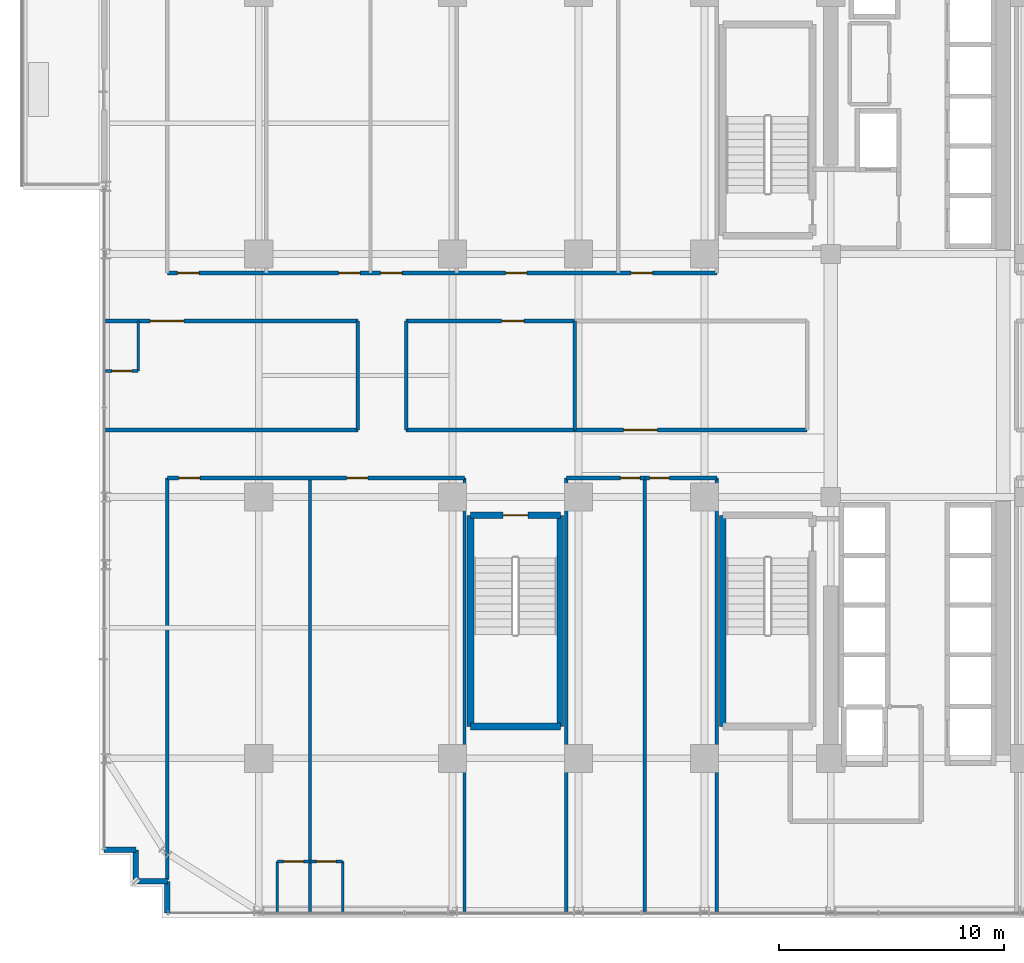
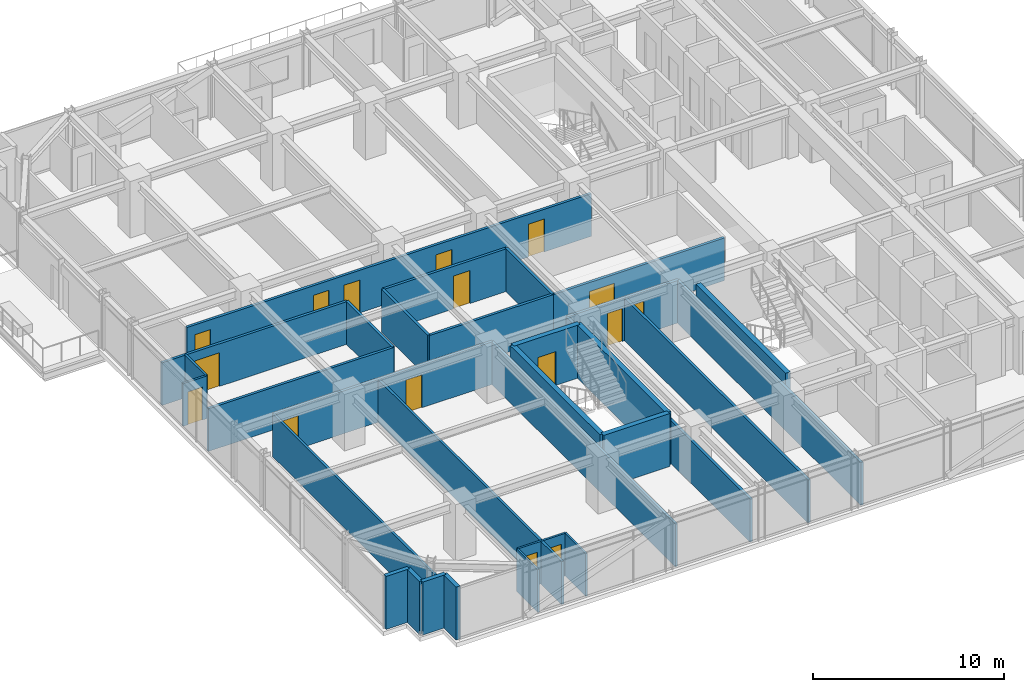
# One storey, part 32 of 40: 33 walls, 16 doors, 16 openings.
"""IFC4 building model written with IfcOpenShell, lengths in metres."""

from ifc_helpers import new_model, si_unit, direction, frame, frame_2d, origin, place, context, subcontext, project, spatial, rectangle, extrude, source, transform, mapped, material, layer, layer_set, type_object, element, fill, save


model = new_model("IFC4")

# Units and contexts
model_context = context("Model", 3, precision=1e-05, world=origin(), true_north=direction((0.0, 1.0)))
body_context = subcontext(model_context, "Body", "Model", "MODEL_VIEW")
ifc_project = project(units=[si_unit("LENGTHUNIT", "METRE"), si_unit("AREAUNIT", "SQUARE_METRE"), si_unit("VOLUMEUNIT", "CUBIC_METRE"), si_unit("PLANEANGLEUNIT", "RADIAN"), si_unit("MASSUNIT", "GRAM", prefix="KILO")], contexts=[model_context])

# Site, building, storey
site_placement = place(None, origin())
site = spatial("IfcSite", under=ifc_project, at=site_placement, CompositionType="ELEMENT")
building_placement = place(site_placement, origin())
building = spatial("IfcBuilding", under=site, at=building_placement, Name="Nahalor Promenade Grand Hotel", CompositionType="ELEMENT")
storey_placement = place(building_placement, frame((0.0, 0.0, 91.949951171875)))
storey = spatial("IfcBuildingStorey", under=building, at=storey_placement, Name="L22", CompositionType="ELEMENT", Elevation=91.949951171875)

# Wall
ifc_material_1 = material(Name="Concrete B-50 (C40/50)", Category="concrete")
ifc_layer_1 = layer(ifc_material_1, 0.300048828125)
ifc_layer_set_1 = layer_set([ifc_layer_1], Name="Concrete B-50 (C40/50)")
wall_type_1 = type_object("IfcWallType", Name="Wall-ShaftShear-300", PredefinedType="SHEAR", material=ifc_layer_set_1)
shared_shape_1 = source(origin(), body_context, "Body", "SweptSolid", [
    extrude(rectangle(XDim=3.97998046875, YDim=0.300048828125, at=frame_2d((1.989990234375, 0.0))), origin(), (0.0, 0.0, 1.0), 3.380126953125),
])
wall_1_placement = place(storey_placement, frame((-7.590087890625, -15.590087890625, 0.0), z_axis=(0.0, 0.0, 1.0), x_axis=(1.0, 0.0, 0.0)))
element("IfcWall", 1, at=wall_1_placement, inside=storey, type_object=wall_type_1, Name="L22 Exit Stair ST3 Shaft Wall S", PredefinedType="SHEAR", context=body_context, shape_type="MappedRepresentation", body=[
    mapped(shared_shape_1, transform((0.0, 0.0, 0.0), scale=1.0)),
])

# Wall, opening, door
wall_2_placement = place(storey_placement, frame((-7.590087890625, -6.2099609375, 0.0), z_axis=(0.0, 0.0, 1.0), x_axis=(1.0, 0.0, 0.0)))
wall_2 = element("IfcWall", 2, at=wall_2_placement, inside=storey, type_object=wall_type_1, Name="L22 Exit Stair ST3 Shaft Wall N", PredefinedType="SHEAR", context=body_context, shape_type="MappedRepresentation", body=[
    mapped(shared_shape_1, transform((0.0, 0.0, 0.0), scale=1.0)),
])
opening_1_placement = place(wall_2_placement, frame((1.43994140625, 0.0, 0.0)))
opening_1 = element("IfcOpeningElement", 3, at=opening_1_placement, cuts=wall_2, Name="Opening D-ST1", PredefinedType="OPENING", context=body_context, shape_type="SweptSolid", body=[
    extrude(rectangle(XDim=1.10009765625, YDim=2.14990234375, at=frame_2d((0.550048828125, 1.074951171875))), frame((0.0, 0.159912109375, 0.0), z_axis=(0.0, -1.0, 0.0), x_axis=(1.0, 0.0, 0.0)), (0.0, 0.0, 1.0), 0.320068359375),
])
ifc_material_2 = material(Name="Steel S355JR", Category="steel")
door_type_1 = type_object("IfcDoorType", Name="Door-StairFire-1100", OperationType="NOTDEFINED", PredefinedType="DOOR", material=ifc_material_2)
shared_shape_2 = source(origin(), body_context, "Body", "SweptSolid", [
    extrude(rectangle(XDim=1.10009765625, YDim=2.14990234375, at=frame_2d((0.550048828125, 1.074951171875))), frame((0.0, 0.02490234375, 0.0), z_axis=(0.0, -1.0, 0.0), x_axis=(1.0, 0.0, 0.0)), (0.0, 0.0, 1.0), 0.050048828125),
])
door_1_placement = place(opening_1_placement, frame((1.10009765625, 0.0, 0.0), z_axis=(0.0, 0.0, 1.0), x_axis=(-1.0, 0.0, 0.0)))
door_1 = element("IfcDoor", 4, at=door_1_placement, inside=storey, type_object=door_type_1, Name="DR-STAIR-ST3-L22", OperationType="SINGLE_SWING_LEFT", OverallHeight=2.14990234375, OverallWidth=1.10009765625, PredefinedType="DOOR", context=body_context, shape_type="MappedRepresentation", body=[
    mapped(shared_shape_2, transform((0.0, 0.0, 0.0), scale=1.0)),
])
fill(opening_1, door_1)

# Walls
shared_shape_3 = source(origin(), body_context, "Body", "SweptSolid", [
    extrude(rectangle(XDim=9.380126953125, YDim=0.300048828125, at=frame_2d((4.68994140625, 0.0))), origin(), (0.0, 0.0, 1.0), 3.380126953125),
])
for number, where, z_axis, x_axis, name in (
    (5, (3.610107421875, -15.590087890625, 0.0), (0.0, 0.0, 1.0), (0.0, 1.0, 0.0), "L22 Exit Stair ST2 Shaft Wall W"),
    (6, (-7.590087890625, -15.590087890625, 0.0), (0.0, 0.0, 1.0), (0.0, 1.0, 0.0), "L22 Exit Stair ST3 Shaft Wall W"),
    (7, (-3.610107421875, -15.590087890625, 0.0), (0.0, 0.0, 1.0), (0.0, 1.0, 0.0), "L22 Exit Stair ST3 Shaft Wall E"),
):
    element("IfcWall", number, at=place(storey_placement, frame(where, z_axis=z_axis, x_axis=x_axis)), inside=storey, type_object=wall_type_1, Name=name, PredefinedType="SHEAR", context=body_context, shape_type="MappedRepresentation", body=[
        mapped(shared_shape_3, transform((0.0, 0.0, 0.0), scale=1.0)),
    ])
ifc_material_3 = material(Name="Concrete B-40 (C32/40)", Category="concrete")
ifc_layer_2 = layer(ifc_material_3, 0.25)
ifc_layer_set_2 = layer_set([ifc_layer_2], Name="Concrete B-40 (C32/40)")
wall_type_2 = type_object("IfcWallType", Name="Wall-BronzePier-250", PredefinedType="STANDARD", material=ifc_layer_set_2)
shared_shape_4 = source(origin(), body_context, "Body", "SweptSolid", [
    extrude(rectangle(XDim=1.400146484375, YDim=0.25, at=frame_2d((0.7001953125, 0.0))), origin(), (0.0, 0.0, 1.0), 3.380126953125),
])
for number, where, z_axis, x_axis, name in (
    (8, (-23.860107421875, -21.06005859375, 0.0), (0.0, 0.0, 1.0), (1.0, 0.0, 0.0), "W-L22-SR-13"),
    (9, (-21.06005859375, -23.860107421875, 0.0), (0.0, 0.0, 1.0), (0.0, 1.0, 0.0), "W-L22-SR-16"),
):
    element("IfcWall", number, at=place(storey_placement, frame(where, z_axis=z_axis, x_axis=x_axis)), inside=storey, type_object=wall_type_2, Name=name, PredefinedType="STANDARD", context=body_context, shape_type="MappedRepresentation", body=[
        mapped(shared_shape_4, transform((0.0, 0.0, 0.0), scale=1.0)),
    ])
shared_shape_5 = source(origin(), body_context, "Body", "SweptSolid", [
    extrude(rectangle(XDim=1.39990234375, YDim=0.25, at=frame_2d((0.699951171875, 0.0))), origin(), (0.0, 0.0, 1.0), 3.380126953125),
])
for number, where, z_axis, x_axis, name in (
    (10, (-22.4599609375, -22.4599609375, 0.0), (0.0, 0.0, 1.0), (0.0, 1.0, 0.0), "W-L22-SR-14"),
    (11, (-22.4599609375, -22.4599609375, 0.0), (0.0, 0.0, 1.0), (1.0, 0.0, 0.0), "W-L22-SR-15"),
):
    element("IfcWall", number, at=place(storey_placement, frame(where, z_axis=z_axis, x_axis=x_axis)), inside=storey, type_object=wall_type_2, Name=name, PredefinedType="STANDARD", context=body_context, shape_type="MappedRepresentation", body=[
        mapped(shared_shape_5, transform((0.0, 0.0, 0.0), scale=1.0)),
    ])
ifc_material_4 = material(Name="Acoustic Mineral Gypsum", Category="gypsum")
ifc_layer_3 = layer(ifc_material_4, 0.159912109375)
ifc_layer_set_3 = layer_set([ifc_layer_3], Name="Acoustic Mineral Gypsum")
wall_type_3 = type_object("IfcWallType", Name="Wall-PartCorridor-160", PredefinedType="PARTITIONING", material=ifc_layer_set_3)
shared_shape_6 = source(origin(), body_context, "Body", "SweptSolid", [
    extrude(rectangle(XDim=19.25, YDim=0.159912109375, at=frame_2d((9.625, 0.0))), origin(), (0.0, 0.0, 1.0), 2.719970703125),
])
for number, where, z_axis, x_axis, name in (
    (12, (-3.340087890625, -23.800048828125, 0.0), (0.0, 0.0, 1.0), (0.0, 1.0, 0.0), "W-L22-SCB1-W"),
    (13, (0.14990234375, -23.800048828125, 0.0), (0.0, 0.0, 1.0), (0.0, 1.0, 0.0), "W-L22-SCB1-E"),
    (14, (3.340087890625, -23.800048828125, 0.0), (0.0, 0.0, 1.0), (0.0, 1.0, 0.0), "W-L22-SCB2-E"),
):
    element("IfcWall", number, at=place(storey_placement, frame(where, z_axis=z_axis, x_axis=x_axis)), inside=storey, type_object=wall_type_3, Name=name, PredefinedType="PARTITIONING", context=body_context, shape_type="MappedRepresentation", body=[
        mapped(shared_shape_6, transform((0.0, 0.0, 0.0), scale=1.0)),
    ])

# Wall, openings, doors
shared_shape_7 = source(origin(), body_context, "Body", "SweptSolid", [
    extrude(rectangle(XDim=24.400146484375, YDim=0.159912109375, at=frame_2d((12.2001953125, 0.0))), origin(), (0.0, 0.0, 1.0), 2.719970703125),
])
wall_3_placement = place(storey_placement, frame((-21.06005859375, 4.550048828125, 0.0), z_axis=(0.0, 0.0, 1.0), x_axis=(1.0, 0.0, 0.0)))
wall_3 = element("IfcWall", 15, at=wall_3_placement, inside=storey, type_object=wall_type_3, Name="W-L22-CORR-N", PredefinedType="PARTITIONING", context=body_context, shape_type="MappedRepresentation", body=[
    mapped(shared_shape_7, transform((0.0, 0.0, 0.0), scale=1.0)),
])
opening_2_placement = place(wall_3_placement, frame((0.4619140625, 0.0, 0.0)))
opening_2 = element("IfcOpeningElement", 16, at=opening_2_placement, cuts=wall_3, Name="Opening D-01", PredefinedType="OPENING", context=body_context, shape_type="SweptSolid", body=[
    extrude(rectangle(XDim=0.949951171875, YDim=2.10009765625, at=frame_2d((0.47509765625, 1.050048828125))), frame((0.0, 0.08984375, 0.0), z_axis=(0.0, -1.0, 0.0), x_axis=(1.0, 0.0, 0.0)), (0.0, 0.0, 1.0), 0.179931640625),
])
opening_3_placement = place(wall_3_placement, frame((7.610107421875, 0.0, 0.0)))
opening_3 = element("IfcOpeningElement", 17, at=opening_3_placement, cuts=wall_3, Name="Opening D-01", PredefinedType="OPENING", context=body_context, shape_type="SweptSolid", body=[
    extrude(rectangle(XDim=0.949951171875, YDim=2.10009765625, at=frame_2d((0.47509765625, 1.050048828125))), frame((0.0, 0.08984375, 0.0), z_axis=(0.0, -1.0, 0.0), x_axis=(1.0, 0.0, 0.0)), (0.0, 0.0, 1.0), 0.179931640625),
])
opening_4_placement = place(wall_3_placement, frame((9.47802734375, 0.0, 0.0)))
opening_4 = element("IfcOpeningElement", 18, at=opening_4_placement, cuts=wall_3, Name="Opening D-01", PredefinedType="OPENING", context=body_context, shape_type="SweptSolid", body=[
    extrude(rectangle(XDim=0.949951171875, YDim=2.10009765625, at=frame_2d((0.47509765625, 1.050048828125))), frame((0.0, 0.08984375, 0.0), z_axis=(0.0, -1.0, 0.0), x_axis=(1.0, 0.0, 0.0)), (0.0, 0.0, 1.0), 0.179931640625),
])
opening_5_placement = place(wall_3_placement, frame((15.02197265625, 0.0, 0.0)))
opening_5 = element("IfcOpeningElement", 19, at=opening_5_placement, cuts=wall_3, Name="Opening D-01", PredefinedType="OPENING", context=body_context, shape_type="SweptSolid", body=[
    extrude(rectangle(XDim=0.949951171875, YDim=2.10009765625, at=frame_2d((0.47509765625, 1.050048828125))), frame((0.0, 0.08984375, 0.0), z_axis=(0.0, -1.0, 0.0), x_axis=(1.0, 0.0, 0.0)), (0.0, 0.0, 1.0), 0.179931640625),
])
opening_6_placement = place(wall_3_placement, frame((20.60107421875, 0.0, 0.0)))
opening_6 = element("IfcOpeningElement", 20, at=opening_6_placement, cuts=wall_3, Name="Opening D-01", PredefinedType="OPENING", context=body_context, shape_type="SweptSolid", body=[
    extrude(rectangle(XDim=0.949951171875, YDim=2.10009765625, at=frame_2d((0.47509765625, 1.050048828125))), frame((0.0, 0.08984375, 0.0), z_axis=(0.0, -1.0, 0.0), x_axis=(1.0, 0.0, 0.0)), (0.0, 0.0, 1.0), 0.179931640625),
])
ifc_material_5 = material(Name="Fire-Rated Timber Composite", Category="wood")
door_type_2 = type_object("IfcDoorType", Name="Door-GuestEntry-950", OperationType="NOTDEFINED", PredefinedType="DOOR", material=ifc_material_5)
shared_shape_8 = source(origin(), body_context, "Body", "SweptSolid", [
    extrude(rectangle(XDim=0.949951171875, YDim=2.10009765625, at=frame_2d((0.47509765625, 1.050048828125))), frame((0.0, 0.02490234375, 0.0), z_axis=(0.0, -1.0, 0.0), x_axis=(1.0, 0.0, 0.0)), (0.0, 0.0, 1.0), 0.050048828125),
])
door_2_placement = place(opening_2_placement, origin())
door_2 = element("IfcDoor", 21, at=door_2_placement, inside=storey, type_object=door_type_2, Name="DR-L22-N1-ENT", OperationType="SINGLE_SWING_RIGHT", OverallHeight=2.10009765625, OverallWidth=0.949951171875, PredefinedType="DOOR", context=body_context, shape_type="MappedRepresentation", body=[
    mapped(shared_shape_8, transform((0.0, 0.0, 0.0), scale=1.0)),
])
fill(opening_2, door_2)
door_3_placement = place(opening_3_placement, origin())
door_3 = element("IfcDoor", 22, at=door_3_placement, inside=storey, type_object=door_type_2, Name="DR-L22-N2-ENT", OperationType="SINGLE_SWING_RIGHT", OverallHeight=2.10009765625, OverallWidth=0.949951171875, PredefinedType="DOOR", context=body_context, shape_type="MappedRepresentation", body=[
    mapped(shared_shape_8, transform((0.0, 0.0, 0.0), scale=1.0)),
])
fill(opening_3, door_3)
door_4_placement = place(opening_4_placement, origin())
door_4 = element("IfcDoor", 23, at=door_4_placement, inside=storey, type_object=door_type_2, Name="DR-L22-N3-ENT", OperationType="SINGLE_SWING_RIGHT", OverallHeight=2.10009765625, OverallWidth=0.949951171875, PredefinedType="DOOR", context=body_context, shape_type="MappedRepresentation", body=[
    mapped(shared_shape_8, transform((0.0, 0.0, 0.0), scale=1.0)),
])
fill(opening_4, door_4)
door_5_placement = place(opening_5_placement, origin())
door_5 = element("IfcDoor", 24, at=door_5_placement, inside=storey, type_object=door_type_2, Name="DR-L22-N4-ENT", OperationType="SINGLE_SWING_RIGHT", OverallHeight=2.10009765625, OverallWidth=0.949951171875, PredefinedType="DOOR", context=body_context, shape_type="MappedRepresentation", body=[
    mapped(shared_shape_8, transform((0.0, 0.0, 0.0), scale=1.0)),
])
fill(opening_5, door_5)
door_6_placement = place(opening_6_placement, origin())
door_6 = element("IfcDoor", 25, at=door_6_placement, inside=storey, type_object=door_type_2, Name="DR-L22-N5-ENT", OperationType="SINGLE_SWING_RIGHT", OverallHeight=2.10009765625, OverallWidth=0.949951171875, PredefinedType="DOOR", context=body_context, shape_type="MappedRepresentation", body=[
    mapped(shared_shape_8, transform((0.0, 0.0, 0.0), scale=1.0)),
])
fill(opening_6, door_6)

# Walls
ifc_layer_4 = layer(ifc_material_4, 0.139892578125)
ifc_layer_set_4 = layer_set([ifc_layer_4], Name="Acoustic Mineral Gypsum")
wall_type_4 = type_object("IfcWallType", Name="Wall-PartSuite-140", PredefinedType="PARTITIONING", material=ifc_layer_set_4)
shared_shape_9 = source(origin(), body_context, "Body", "SweptSolid", [
    extrude(rectangle(XDim=17.829833984375, YDim=0.139892578125, at=frame_2d((8.9150390625, 0.0))), origin(), (0.0, 0.0, 1.0), 2.719970703125),
])
wall_4_placement = place(storey_placement, frame((-21.06005859375, -22.3798828125, 0.0), z_axis=(0.0, 0.0, 1.0), x_axis=(0.0, 1.0, 0.0)))
element("IfcWall", 26, at=wall_4_placement, inside=storey, type_object=wall_type_4, Name="W-L22-SW-ENDW", PredefinedType="PARTITIONING", context=body_context, shape_type="MappedRepresentation", body=[
    mapped(shared_shape_9, transform((0.0, 0.0, 0.0), scale=1.0)),
])
shared_shape_10 = source(origin(), body_context, "Body", "SweptSolid", [
    extrude(rectangle(XDim=19.25, YDim=0.139892578125, at=frame_2d((9.625, 0.0))), origin(), (0.0, 0.0, 1.0), 2.719970703125),
])
for number, where, z_axis, x_axis, name in (
    (27, (-7.860107421875, -23.800048828125, 0.0), (0.0, 0.0, 1.0), (0.0, 1.0, 0.0), "W-L22-SW-ENDE"),
    (28, (-14.72412109375, -23.800048828125, 0.0), (0.0, 0.0, 1.0), (0.0, 1.0, 0.0), "W-L22-SP-1"),
):
    element("IfcWall", number, at=place(storey_placement, frame(where, z_axis=z_axis, x_axis=x_axis)), inside=storey, type_object=wall_type_4, Name=name, PredefinedType="PARTITIONING", context=body_context, shape_type="MappedRepresentation", body=[
        mapped(shared_shape_10, transform((0.0, 0.0, 0.0), scale=1.0)),
    ])

# Wall, opening, door
ifc_layer_5 = layer(ifc_material_4, 0.1201171875)
ifc_layer_set_5 = layer_set([ifc_layer_5], Name="Acoustic Mineral Gypsum")
wall_type_5 = type_object("IfcWallType", Name="Wall-PartBath-120", PredefinedType="PARTITIONING", material=ifc_layer_set_5)
shared_shape_11 = source(origin(), body_context, "Body", "SweptSolid", [
    extrude(rectangle(XDim=1.4501953125, YDim=0.1201171875, at=frame_2d((0.72509765625, 0.0))), origin(), (0.0, 0.0, 1.0), 2.719970703125),
])
wall_5_placement = place(storey_placement, frame((-14.72412109375, -21.580078125, 0.0), z_axis=(0.0, 0.0, 1.0), x_axis=(1.0, 0.0, 0.0)))
wall_5 = element("IfcWall", 29, at=wall_5_placement, inside=storey, type_object=wall_type_5, Name="W-L22-S2-BH", PredefinedType="PARTITIONING", context=body_context, shape_type="MappedRepresentation", body=[
    mapped(shared_shape_11, transform((0.0, 0.0, 0.0), scale=1.0)),
])
opening_7_placement = place(wall_5_placement, frame((0.284912109375, 0.0, 0.0)))
opening_7 = element("IfcOpeningElement", 30, at=opening_7_placement, cuts=wall_5, Name="Opening D-03", PredefinedType="OPENING", context=body_context, shape_type="SweptSolid", body=[
    extrude(rectangle(XDim=0.8798828125, YDim=2.10009765625, at=frame_2d((0.43994140625, 1.050048828125))), frame((0.0, 0.070068359375, 0.0), z_axis=(0.0, -1.0, 0.0), x_axis=(1.0, 0.0, 0.0)), (0.0, 0.0, 1.0), 0.14013671875),
])
door_type_3 = type_object("IfcDoorType", Name="Door-BathSwing-880", OperationType="NOTDEFINED", PredefinedType="DOOR", material=ifc_material_5)
shared_shape_12 = source(origin(), body_context, "Body", "SweptSolid", [
    extrude(rectangle(XDim=0.8798828125, YDim=2.10009765625, at=frame_2d((0.43994140625, 1.050048828125))), frame((0.0, 0.02490234375, 0.0), z_axis=(0.0, -1.0, 0.0), x_axis=(1.0, 0.0, 0.0)), (0.0, 0.0, 1.0), 0.050048828125),
])
door_7_placement = place(opening_7_placement, frame((0.8798828125, 0.0, 0.0), z_axis=(0.0, 0.0, 1.0), x_axis=(-1.0, 0.0, 0.0)))
door_7 = element("IfcDoor", 31, at=door_7_placement, inside=storey, type_object=door_type_3, Name="DR-L22-S2-BATH", OperationType="SINGLE_SWING_LEFT", OverallHeight=2.10009765625, OverallWidth=0.8798828125, PredefinedType="DOOR", context=body_context, shape_type="MappedRepresentation", body=[
    mapped(shared_shape_12, transform((0.0, 0.0, 0.0), scale=1.0)),
])
fill(opening_7, door_7)

# Walls
shared_shape_13 = source(origin(), body_context, "Body", "SweptSolid", [
    extrude(rectangle(XDim=2.219970703125, YDim=0.1201171875, at=frame_2d((1.10986328125, 0.0))), origin(), (0.0, 0.0, 1.0), 2.719970703125),
])
for number, where, z_axis, x_axis, name in (
    (32, (-16.174072265625, -23.800048828125, 0.0), (0.0, 0.0, 1.0), (0.0, 1.0, 0.0), "W-L22-S1-BV"),
    (33, (-13.27392578125, -23.800048828125, 0.0), (0.0, 0.0, 1.0), (0.0, 1.0, 0.0), "W-L22-S2-BV"),
    (34, (-22.35009765625, 0.199951171875, 0.0), (0.0, 0.0, 1.0), (0.0, 1.0, 0.0), "W-L22-W1-BV"),
):
    element("IfcWall", number, at=place(storey_placement, frame(where, z_axis=z_axis, x_axis=x_axis)), inside=storey, type_object=wall_type_5, Name=name, PredefinedType="PARTITIONING", context=body_context, shape_type="MappedRepresentation", body=[
        mapped(shared_shape_13, transform((0.0, 0.0, 0.0), scale=1.0)),
    ])

# Wall, opening, door
shared_shape_14 = source(origin(), body_context, "Body", "SweptSolid", [
    extrude(rectangle(XDim=1.449951171875, YDim=0.1201171875, at=frame_2d((0.72509765625, 0.0))), origin(), (0.0, 0.0, 1.0), 2.719970703125),
])
wall_6_placement = place(storey_placement, frame((-16.174072265625, -21.580078125, 0.0), z_axis=(0.0, 0.0, 1.0), x_axis=(1.0, 0.0, 0.0)))
wall_6 = element("IfcWall", 35, at=wall_6_placement, inside=storey, type_object=wall_type_5, Name="W-L22-S1-BH", PredefinedType="PARTITIONING", context=body_context, shape_type="MappedRepresentation", body=[
    mapped(shared_shape_14, transform((0.0, 0.0, 0.0), scale=1.0)),
])
opening_8_placement = place(wall_6_placement, frame((0.284912109375, 0.0, 0.0)))
opening_8 = element("IfcOpeningElement", 36, at=opening_8_placement, cuts=wall_6, Name="Opening D-03", PredefinedType="OPENING", context=body_context, shape_type="SweptSolid", body=[
    extrude(rectangle(XDim=0.8798828125, YDim=2.10009765625, at=frame_2d((0.43994140625, 1.050048828125))), frame((0.0, 0.070068359375, 0.0), z_axis=(0.0, -1.0, 0.0), x_axis=(1.0, 0.0, 0.0)), (0.0, 0.0, 1.0), 0.14013671875),
])
door_8_placement = place(opening_8_placement, frame((0.8798828125, 0.0, 0.0), z_axis=(0.0, 0.0, 1.0), x_axis=(-1.0, 0.0, 0.0)))
door_8 = element("IfcDoor", 37, at=door_8_placement, inside=storey, type_object=door_type_3, Name="DR-L22-S1-BATH", OperationType="SINGLE_SWING_LEFT", OverallHeight=2.10009765625, OverallWidth=0.8798828125, PredefinedType="DOOR", context=body_context, shape_type="MappedRepresentation", body=[
    mapped(shared_shape_12, transform((0.0, 0.0, 0.0), scale=1.0)),
])
fill(opening_8, door_8)

wall_7_placement = place(storey_placement, frame((-23.800048828125, 0.199951171875, 0.0), z_axis=(0.0, 0.0, 1.0), x_axis=(1.0, 0.0, 0.0)))
wall_7 = element("IfcWall", 38, at=wall_7_placement, inside=storey, type_object=wall_type_5, Name="W-L22-W1-BH", PredefinedType="PARTITIONING", context=body_context, shape_type="MappedRepresentation", body=[
    mapped(shared_shape_14, transform((0.0, 0.0, 0.0), scale=1.0)),
])
opening_9_placement = place(wall_7_placement, frame((0.284912109375, 0.0, 0.0)))
opening_9 = element("IfcOpeningElement", 39, at=opening_9_placement, cuts=wall_7, Name="Opening D-03", PredefinedType="OPENING", context=body_context, shape_type="SweptSolid", body=[
    extrude(rectangle(XDim=0.8798828125, YDim=2.10009765625, at=frame_2d((0.43994140625, 1.050048828125))), frame((0.0, 0.070068359375, 0.0), z_axis=(0.0, -1.0, 0.0), x_axis=(1.0, 0.0, 0.0)), (0.0, 0.0, 1.0), 0.14013671875),
])
door_9_placement = place(opening_9_placement, origin())
door_9 = element("IfcDoor", 40, at=door_9_placement, inside=storey, type_object=door_type_3, Name="DR-L22-W1-BATH", OperationType="SINGLE_SWING_LEFT", OverallHeight=2.10009765625, OverallWidth=0.8798828125, PredefinedType="DOOR", context=body_context, shape_type="MappedRepresentation", body=[
    mapped(shared_shape_12, transform((0.0, 0.0, 0.0), scale=1.0)),
])
fill(opening_9, door_9)

# Wall, openings, doors
shared_shape_15 = source(origin(), body_context, "Body", "SweptSolid", [
    extrude(rectangle(XDim=13.199951171875, YDim=0.159912109375, at=frame_2d((6.60009765625, 0.0))), origin(), (0.0, 0.0, 1.0), 2.719970703125),
])
wall_8_placement = place(storey_placement, frame((-21.06005859375, -4.550048828125, 0.0), z_axis=(0.0, 0.0, 1.0), x_axis=(1.0, 0.0, 0.0)))
wall_8 = element("IfcWall", 41, at=wall_8_placement, inside=storey, type_object=wall_type_3, Name="W-L22-CORR-S", PredefinedType="PARTITIONING", context=body_context, shape_type="MappedRepresentation", body=[
    mapped(shared_shape_15, transform((0.0, 0.0, 0.0), scale=1.0)),
])
opening_10_placement = place(wall_8_placement, frame((0.50390625, 0.0, 0.0)))
opening_10 = element("IfcOpeningElement", 42, at=opening_10_placement, cuts=wall_8, Name="Opening D-01", PredefinedType="OPENING", context=body_context, shape_type="SweptSolid", body=[
    extrude(rectangle(XDim=0.949951171875, YDim=2.10009765625, at=frame_2d((0.47509765625, 1.050048828125))), frame((0.0, 0.08984375, 0.0), z_axis=(0.0, -1.0, 0.0), x_axis=(1.0, 0.0, 0.0)), (0.0, 0.0, 1.0), 0.179931640625),
])
opening_11_placement = place(wall_8_placement, frame((7.9619140625, 0.0, 0.0)))
opening_11 = element("IfcOpeningElement", 43, at=opening_11_placement, cuts=wall_8, Name="Opening D-01", PredefinedType="OPENING", context=body_context, shape_type="SweptSolid", body=[
    extrude(rectangle(XDim=0.949951171875, YDim=2.10009765625, at=frame_2d((0.47509765625, 1.050048828125))), frame((0.0, 0.08984375, 0.0), z_axis=(0.0, -1.0, 0.0), x_axis=(1.0, 0.0, 0.0)), (0.0, 0.0, 1.0), 0.179931640625),
])
door_10_placement = place(opening_10_placement, frame((0.949951171875, 0.0, 0.0), z_axis=(0.0, 0.0, 1.0), x_axis=(-1.0, 0.0, 0.0)))
door_10 = element("IfcDoor", 44, at=door_10_placement, inside=storey, type_object=door_type_2, Name="DR-L22-S1-ENT", OperationType="SINGLE_SWING_RIGHT", OverallHeight=2.10009765625, OverallWidth=0.949951171875, PredefinedType="DOOR", context=body_context, shape_type="MappedRepresentation", body=[
    mapped(shared_shape_8, transform((0.0, 0.0, 0.0), scale=1.0)),
])
fill(opening_10, door_10)
door_11_placement = place(opening_11_placement, frame((0.949951171875, 0.0, 0.0), z_axis=(0.0, 0.0, 1.0), x_axis=(-1.0, 0.0, 0.0)))
door_11 = element("IfcDoor", 45, at=door_11_placement, inside=storey, type_object=door_type_2, Name="DR-L22-S2-ENT", OperationType="SINGLE_SWING_RIGHT", OverallHeight=2.10009765625, OverallWidth=0.949951171875, PredefinedType="DOOR", context=body_context, shape_type="MappedRepresentation", body=[
    mapped(shared_shape_8, transform((0.0, 0.0, 0.0), scale=1.0)),
])
fill(opening_11, door_11)

# Walls
shared_shape_16 = source(origin(), body_context, "Body", "SweptSolid", [
    extrude(rectangle(XDim=4.83984375, YDim=0.159912109375, at=frame_2d((2.419921875, 0.0))), origin(), (0.0, 0.0, 1.0), 2.719970703125),
])
for number, where, z_axis, x_axis, name in (
    (46, (-12.60009765625, -2.419921875, 0.0), (0.0, 0.0, 1.0), (0.0, 1.0, 0.0), "W-L22-WEST-E"),
    (47, (-10.449951171875, -2.419921875, 0.0), (0.0, 0.0, 1.0), (0.0, 1.0, 0.0), "W-L22-CM1-W"),
    (48, (-2.97412109375, -2.419921875, 0.0), (0.0, 0.0, 1.0), (0.0, 1.0, 0.0), "W-L22-CM1-E"),
):
    element("IfcWall", number, at=place(storey_placement, frame(where, z_axis=z_axis, x_axis=x_axis)), inside=storey, type_object=wall_type_3, Name=name, PredefinedType="PARTITIONING", context=body_context, shape_type="MappedRepresentation", body=[
        mapped(shared_shape_16, transform((0.0, 0.0, 0.0), scale=1.0)),
    ])

# Wall, opening, door
shared_shape_17 = source(origin(), body_context, "Body", "SweptSolid", [
    extrude(rectangle(XDim=3.489990234375, YDim=0.159912109375, at=frame_2d((1.7451171875, 0.0))), origin(), (0.0, 0.0, 1.0), 2.719970703125),
])
wall_9_placement = place(storey_placement, frame((-3.340087890625, -4.550048828125, 0.0), z_axis=(0.0, 0.0, 1.0), x_axis=(1.0, 0.0, 0.0)))
wall_9 = element("IfcWall", 49, at=wall_9_placement, inside=storey, type_object=wall_type_3, Name="W-L22-SCB1-N", PredefinedType="PARTITIONING", context=body_context, shape_type="MappedRepresentation", body=[
    mapped(shared_shape_17, transform((0.0, 0.0, 0.0), scale=1.0)),
])
opening_12_placement = place(wall_9_placement, frame((2.39990234375, 0.0, 0.0)))
opening_12 = element("IfcOpeningElement", 50, at=opening_12_placement, cuts=wall_9, Name="Opening D-03", PredefinedType="OPENING", context=body_context, shape_type="SweptSolid", body=[
    extrude(rectangle(XDim=0.8798828125, YDim=2.10009765625, at=frame_2d((0.43994140625, 1.050048828125))), frame((0.0, 0.08984375, 0.0), z_axis=(0.0, -1.0, 0.0), x_axis=(1.0, 0.0, 0.0)), (0.0, 0.0, 1.0), 0.179931640625),
])
door_12_placement = place(opening_12_placement, frame((0.8798828125, 0.0, 0.0), z_axis=(0.0, 0.0, 1.0), x_axis=(-1.0, 0.0, 0.0)))
door_12 = element("IfcDoor", 51, at=door_12_placement, inside=storey, type_object=door_type_3, Name="DR-L22-SCB1", OperationType="SINGLE_SWING_LEFT", OverallHeight=2.10009765625, OverallWidth=0.8798828125, PredefinedType="DOOR", context=body_context, shape_type="MappedRepresentation", body=[
    mapped(shared_shape_12, transform((0.0, 0.0, 0.0), scale=1.0)),
])
fill(opening_12, door_12)

shared_shape_18 = source(origin(), body_context, "Body", "SweptSolid", [
    extrude(rectangle(XDim=3.190185546875, YDim=0.159912109375, at=frame_2d((1.59521484375, 0.0))), origin(), (0.0, 0.0, 1.0), 2.719970703125),
])
wall_10_placement = place(storey_placement, frame((0.14990234375, -4.550048828125, 0.0), z_axis=(0.0, 0.0, 1.0), x_axis=(1.0, 0.0, 0.0)))
wall_10 = element("IfcWall", 52, at=wall_10_placement, inside=storey, type_object=wall_type_3, Name="W-L22-SCB2-N", PredefinedType="PARTITIONING", context=body_context, shape_type="MappedRepresentation", body=[
    mapped(shared_shape_18, transform((0.0, 0.0, 0.0), scale=1.0)),
])
opening_13_placement = place(wall_10_placement, frame((0.2099609375, 0.0, 0.0)))
opening_13 = element("IfcOpeningElement", 53, at=opening_13_placement, cuts=wall_10, Name="Opening D-03", PredefinedType="OPENING", context=body_context, shape_type="SweptSolid", body=[
    extrude(rectangle(XDim=0.8798828125, YDim=2.10009765625, at=frame_2d((0.43994140625, 1.050048828125))), frame((0.0, 0.08984375, 0.0), z_axis=(0.0, -1.0, 0.0), x_axis=(1.0, 0.0, 0.0)), (0.0, 0.0, 1.0), 0.179931640625),
])
door_13_placement = place(opening_13_placement, frame((0.8798828125, 0.0, 0.0), z_axis=(0.0, 0.0, 1.0), x_axis=(-1.0, 0.0, 0.0)))
door_13 = element("IfcDoor", 54, at=door_13_placement, inside=storey, type_object=door_type_3, Name="DR-L22-SCB2", OperationType="SINGLE_SWING_RIGHT", OverallHeight=2.10009765625, OverallWidth=0.8798828125, PredefinedType="DOOR", context=body_context, shape_type="MappedRepresentation", body=[
    mapped(shared_shape_12, transform((0.0, 0.0, 0.0), scale=1.0)),
])
fill(opening_13, door_13)

shared_shape_19 = source(origin(), body_context, "Body", "SweptSolid", [
    extrude(rectangle(XDim=11.199951171875, YDim=0.159912109375, at=frame_2d((5.60009765625, 0.0))), origin(), (0.0, 0.0, 1.0), 2.719970703125),
])
wall_11_placement = place(storey_placement, frame((-23.800048828125, 2.419921875, 0.0), z_axis=(0.0, 0.0, 1.0), x_axis=(1.0, 0.0, 0.0)))
wall_11 = element("IfcWall", 55, at=wall_11_placement, inside=storey, type_object=wall_type_3, Name="W-L22-WEST-N", PredefinedType="PARTITIONING", context=body_context, shape_type="MappedRepresentation", body=[
    mapped(shared_shape_19, transform((0.0, 0.0, 0.0), scale=1.0)),
])
opening_14_placement = place(wall_11_placement, frame((1.97705078125, 0.0, 0.0)))
opening_14 = element("IfcOpeningElement", 56, at=opening_14_placement, cuts=wall_11, Name="Opening D-02", PredefinedType="OPENING", context=body_context, shape_type="SweptSolid", body=[
    extrude(rectangle(XDim=1.5, YDim=2.14990234375, at=frame_2d((0.75, 1.074951171875))), frame((0.0, 0.08984375, 0.0), z_axis=(0.0, -1.0, 0.0), x_axis=(1.0, 0.0, 0.0)), (0.0, 0.0, 1.0), 0.179931640625),
])
door_type_4 = type_object("IfcDoorType", Name="Door-SuiteDouble-1500", OperationType="DOUBLE_DOOR_SINGLE_SWING", PredefinedType="DOOR", material=ifc_material_5)
shared_shape_20 = source(origin(), body_context, "Body", "SweptSolid", [
    extrude(rectangle(XDim=1.5, YDim=2.14990234375, at=frame_2d((0.75, 1.074951171875))), frame((0.0, 0.02490234375, 0.0), z_axis=(0.0, -1.0, 0.0), x_axis=(1.0, 0.0, 0.0)), (0.0, 0.0, 1.0), 0.050048828125),
])
door_14_placement = place(opening_14_placement, origin())
door_14 = element("IfcDoor", 57, at=door_14_placement, inside=storey, type_object=door_type_4, Name="DR-L22-W1-ENT", OperationType="DOUBLE_DOOR_SINGLE_SWING", OverallHeight=2.14990234375, OverallWidth=1.5, PredefinedType="DOOR", context=body_context, shape_type="MappedRepresentation", body=[
    mapped(shared_shape_20, transform((0.0, 0.0, 0.0), scale=1.0)),
])
fill(opening_14, door_14)

# Walls
wall_12_placement = place(storey_placement, frame((-23.800048828125, -2.419921875, 0.0), z_axis=(0.0, 0.0, 1.0), x_axis=(1.0, 0.0, 0.0)))
element("IfcWall", 58, at=wall_12_placement, inside=storey, type_object=wall_type_3, Name="W-L22-WEST-S", PredefinedType="PARTITIONING", context=body_context, shape_type="MappedRepresentation", body=[
    mapped(shared_shape_19, transform((0.0, 0.0, 0.0), scale=1.0)),
])
shared_shape_21 = source(origin(), body_context, "Body", "SweptSolid", [
    extrude(rectangle(XDim=7.475830078125, YDim=0.159912109375, at=frame_2d((3.73779296875, 0.0))), origin(), (0.0, 0.0, 1.0), 2.719970703125),
])
wall_13_placement = place(storey_placement, frame((-10.449951171875, -2.419921875, 0.0), z_axis=(0.0, 0.0, 1.0), x_axis=(1.0, 0.0, 0.0)))
element("IfcWall", 59, at=wall_13_placement, inside=storey, type_object=wall_type_3, Name="W-L22-CM1-S", PredefinedType="PARTITIONING", context=body_context, shape_type="MappedRepresentation", body=[
    mapped(shared_shape_21, transform((0.0, 0.0, 0.0), scale=1.0)),
])

# Wall, opening, door
wall_14_placement = place(storey_placement, frame((-10.449951171875, 2.419921875, 0.0), z_axis=(0.0, 0.0, 1.0), x_axis=(1.0, 0.0, 0.0)))
wall_14 = element("IfcWall", 60, at=wall_14_placement, inside=storey, type_object=wall_type_3, Name="W-L22-CM1-N", PredefinedType="PARTITIONING", context=body_context, shape_type="MappedRepresentation", body=[
    mapped(shared_shape_21, transform((0.0, 0.0, 0.0), scale=1.0)),
])
opening_15_placement = place(wall_14_placement, frame((4.23193359375, 0.0, 0.0)))
opening_15 = element("IfcOpeningElement", 61, at=opening_15_placement, cuts=wall_14, Name="Opening D-04", PredefinedType="OPENING", context=body_context, shape_type="SweptSolid", body=[
    extrude(rectangle(XDim=1.0, YDim=2.10009765625, at=frame_2d((0.5, 1.050048828125))), frame((0.0, 0.08984375, 0.0), z_axis=(0.0, -1.0, 0.0), x_axis=(1.0, 0.0, 0.0)), (0.0, 0.0, 1.0), 0.179931640625),
])
door_type_5 = type_object("IfcDoorType", Name="Door-ServiceFire-1000", OperationType="NOTDEFINED", PredefinedType="DOOR", material=ifc_material_2)
shared_shape_22 = source(origin(), body_context, "Body", "SweptSolid", [
    extrude(rectangle(XDim=1.0, YDim=2.10009765625, at=frame_2d((0.5, 1.050048828125))), frame((0.0, 0.02490234375, 0.0), z_axis=(0.0, -1.0, 0.0), x_axis=(1.0, 0.0, 0.0)), (0.0, 0.0, 1.0), 0.050048828125),
])
door_15_placement = place(opening_15_placement, frame((1.0, 0.0, 0.0), z_axis=(0.0, 0.0, 1.0), x_axis=(-1.0, 0.0, 0.0)))
door_15 = element("IfcDoor", 62, at=door_15_placement, inside=storey, type_object=door_type_5, Name="DR-L22-CM1", OperationType="SINGLE_SWING_RIGHT", OverallHeight=2.10009765625, OverallWidth=1.0, PredefinedType="DOOR", context=body_context, shape_type="MappedRepresentation", body=[
    mapped(shared_shape_22, transform((0.0, 0.0, 0.0), scale=1.0)),
])
fill(opening_15, door_15)

shared_shape_23 = source(origin(), body_context, "Body", "SweptSolid", [
    extrude(rectangle(XDim=10.32421875, YDim=0.159912109375, at=frame_2d((5.162109375, 0.0))), origin(), (0.0, 0.0, 1.0), 2.719970703125),
])
wall_15_placement = place(storey_placement, frame((-2.97412109375, -2.419921875, 0.0), z_axis=(0.0, 0.0, 1.0), x_axis=(1.0, 0.0, 0.0)))
wall_15 = element("IfcWall", 63, at=wall_15_placement, inside=storey, type_object=wall_type_3, Name="W-L22-CM2-S", PredefinedType="PARTITIONING", context=body_context, shape_type="MappedRepresentation", body=[
    mapped(shared_shape_23, transform((0.0, 0.0, 0.0), scale=1.0)),
])
opening_16_placement = place(wall_15_placement, frame((2.177978515625, 0.0, 0.0)))
opening_16 = element("IfcOpeningElement", 64, at=opening_16_placement, cuts=wall_15, Name="Opening D-02", PredefinedType="OPENING", context=body_context, shape_type="SweptSolid", body=[
    extrude(rectangle(XDim=1.5, YDim=2.14990234375, at=frame_2d((0.75, 1.074951171875))), frame((0.0, 0.08984375, 0.0), z_axis=(0.0, -1.0, 0.0), x_axis=(1.0, 0.0, 0.0)), (0.0, 0.0, 1.0), 0.179931640625),
])
door_16_placement = place(opening_16_placement, origin())
door_16 = element("IfcDoor", 65, at=door_16_placement, inside=storey, type_object=door_type_4, Name="DR-L22-CM2", OperationType="DOUBLE_DOOR_SINGLE_SWING", OverallHeight=2.14990234375, OverallWidth=1.5, PredefinedType="DOOR", context=body_context, shape_type="MappedRepresentation", body=[
    mapped(shared_shape_20, transform((0.0, 0.0, 0.0), scale=1.0)),
])
fill(opening_16, door_16)

save(model, "model.ifc")
